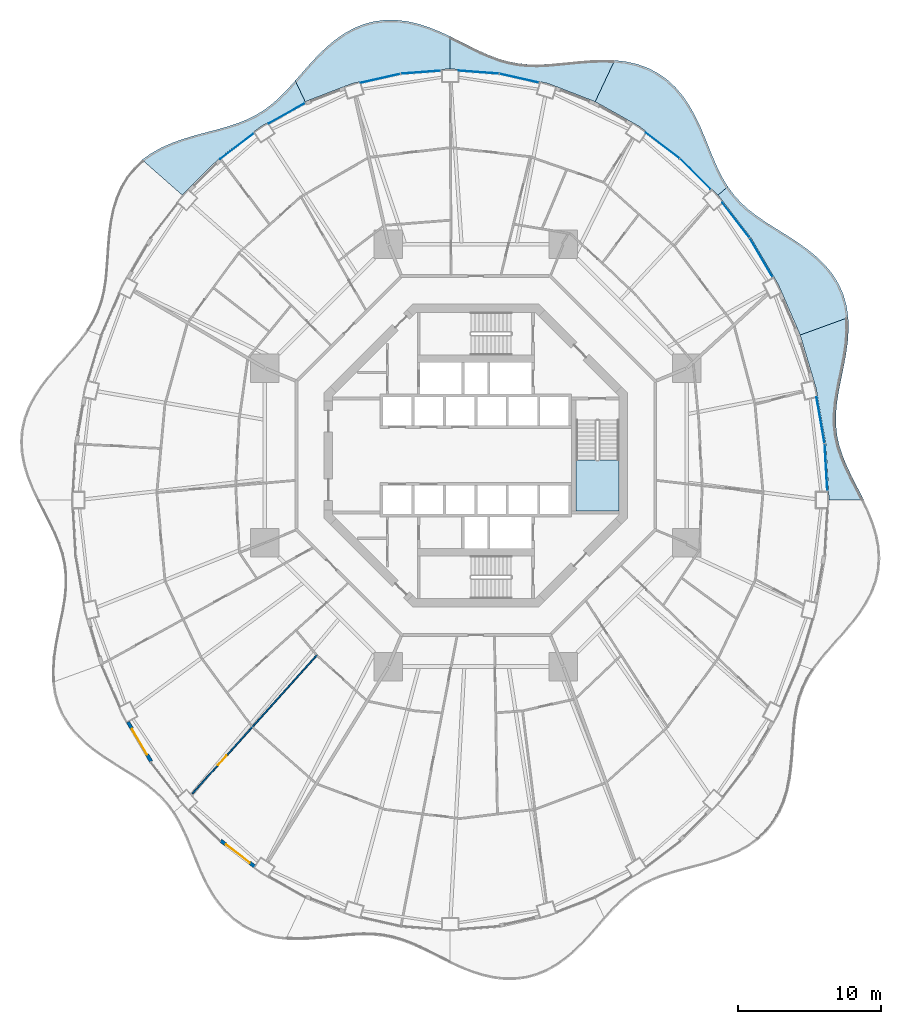
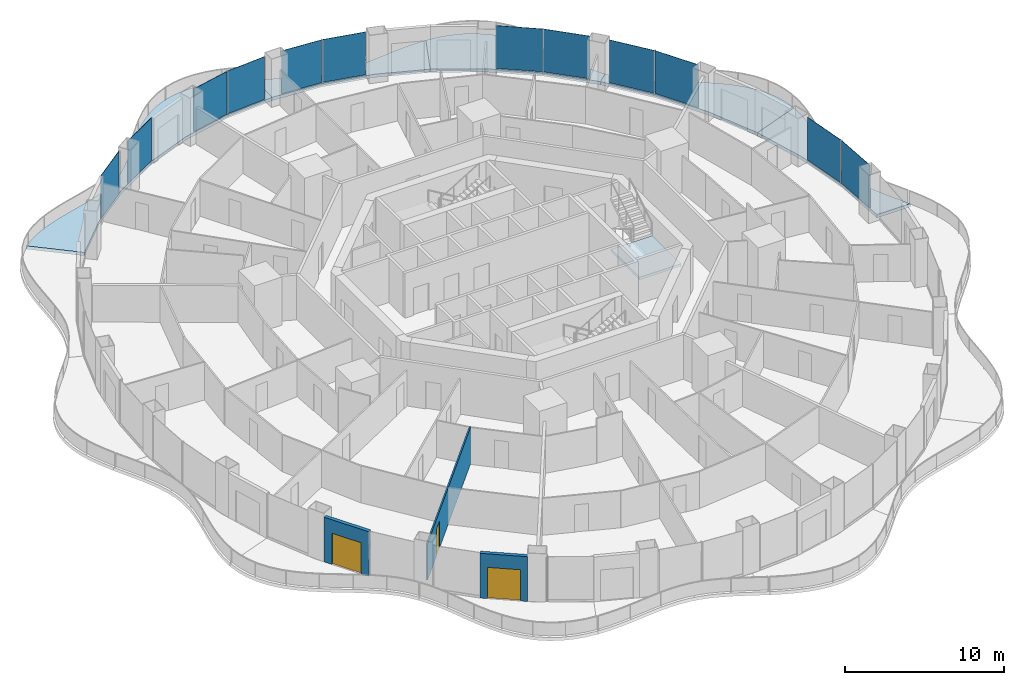
# One storey, part 11 of 20: 12 plates, 7 slabs, 3 doors, 3 walls, 3 openings, 13 elements without a shape of their own.
"""IFC4 building model written with IfcOpenShell, lengths in metres."""

import ifcopenshell
import ifcopenshell.guid

model = None  # the IFC model being written
_history = None  # IfcOwnerHistory: only IFC2X3 demands one
_inside = {}  # id of a spatial element -> (the spatial element, [elements in it])
_under = {}  # id of a project, library or spatial element -> (it, [spatial elements below it])
_declared = {}  # id of a project -> (the project, [libraries it declares])
_typed = {}  # id of a type object -> (the type object, [elements of that type])
_made_of = {}  # id of a material, layer set ... -> (it, [elements and type objects made of it])


def new_model(schema):
    """Start an empty IFC model of exactly this schema.

    Asked for "IFC4X3", IfcOpenShell would pick the latest addendum, in which some entities
    have other attributes; the version numbers below select the first issue.
    IFC2X3 requires an IfcOwnerHistory on every rooted entity: one is made here for all.
    """
    global model, _history
    if schema == "IFC4X3":
        model = ifcopenshell.file(schema_version=(4, 3, 0, 0))
    else:
        model = ifcopenshell.file(schema=schema)
    _inside.clear()
    _under.clear()
    _declared.clear()
    _typed.clear()
    _made_of.clear()
    _history = None
    if model.schema == "IFC2X3":
        org = make("IfcOrganization", Name="unknown")
        user = make(
            "IfcPersonAndOrganization",
            ThePerson=make("IfcPerson", FamilyName="unknown"),
            TheOrganization=org,
        )
        app = make(
            "IfcApplication",
            ApplicationDeveloper=org,
            Version="unknown",
            ApplicationFullName="unknown",
            ApplicationIdentifier="unknown",
        )
        _history = make(
            "IfcOwnerHistory",
            OwningUser=user,
            OwningApplication=app,
            ChangeAction="ADDED",
            CreationDate=0,
        )
    return model


def make(cls, **values):
    """One entity of the class cls with the attributes given. An attribute that is None is left unset."""
    return model.create_entity(
        cls, **{name: value for name, value in values.items() if value is not None}
    )


def rooted(cls, **values):
    """An entity with a GlobalId (a new one), such as an element, a storey or a relation."""
    return make(cls, GlobalId=ifcopenshell.guid.new(), OwnerHistory=_history, **values)


def si_unit(unit_type, name, prefix=None):
    """IfcSIUnit, for example si_unit("LENGTHUNIT", "METRE", prefix="MILLI")."""
    return make("IfcSIUnit", UnitType=unit_type, Prefix=prefix, Name=name)


def assignment(units):
    """IfcUnitAssignment: the units of a project."""
    return None if units is None else make("IfcUnitAssignment", Units=units)


def point(xyz):
    """IfcCartesianPoint."""
    return None if xyz is None else make("IfcCartesianPoint", Coordinates=xyz)


def direction(xyz):
    """IfcDirection."""
    return None if xyz is None else make("IfcDirection", DirectionRatios=xyz)


def frame(location, z_axis=None, x_axis=None):
    """IfcAxis2Placement3D, a coordinate frame: its origin and axes. An axis left out is left unset."""
    return make(
        "IfcAxis2Placement3D",
        Location=point(location),
        Axis=direction(z_axis),
        RefDirection=direction(x_axis),
    )


def frame_2d(location, x_axis=None):
    """IfcAxis2Placement2D, a coordinate frame in the plane: its origin and x axis."""
    return make(
        "IfcAxis2Placement2D", Location=point(location), RefDirection=direction(x_axis)
    )


def origin():
    """The frame at (0, 0, 0) with its axes left unset."""
    return frame((0.0, 0.0, 0.0))


def origin_2d():
    """The frame at (0, 0) in the plane with its x axis left unset."""
    return frame_2d((0.0, 0.0))


def place(relative_to, where):
    """IfcLocalPlacement: puts the frame where relative to a parent placement (None: the world)."""
    return make(
        "IfcLocalPlacement", PlacementRelTo=relative_to, RelativePlacement=where
    )


def context(
    kind, dimensions, precision=None, world=None, true_north=None, identifier=None
):
    """IfcGeometricRepresentationContext, for example the 3D "Model" context."""
    return make(
        "IfcGeometricRepresentationContext",
        ContextIdentifier=identifier,
        ContextType=kind,
        CoordinateSpaceDimension=dimensions,
        Precision=precision,
        WorldCoordinateSystem=world,
        TrueNorth=true_north,
    )


def subcontext(parent, identifier, kind, view, scale=None):
    """IfcGeometricRepresentationSubContext, for example "Body" below "Model"."""
    return make(
        "IfcGeometricRepresentationSubContext",
        ContextIdentifier=identifier,
        ContextType=kind,
        ParentContext=parent,
        TargetScale=scale,
        TargetView=view,
    )


def project(units=None, contexts=None):
    """IfcProject with its units and contexts."""
    return rooted(
        "IfcProject",
        Name="project",
        RepresentationContexts=contexts,
        UnitsInContext=assignment(units),
    )


def spatial(cls, under=None, at=None, **own):
    """A site, building, storey or space (cls), placed at a placement, below another one or the project."""
    s = rooted(cls, ObjectPlacement=at, **own)
    if under is not None:
        _under.setdefault(under.id(), (under, []))[1].append(s)
    return s


def polyline(points):
    """IfcPolyline through the points."""
    return make("IfcPolyline", Points=[point(p) for p in points])


def profile(cls, at=None, kind="AREA", **sizes):
    """A parametric profile (cls). Its sizes go by their IFC names, for example OverallWidth=200.0."""
    return make(cls, ProfileType=kind, Position=at, **sizes)


def rectangle(**sizes):
    """IfcRectangleProfileDef."""
    return profile("IfcRectangleProfileDef", **sizes)


def outline(outer, holes=None, kind="AREA"):
    """IfcArbitraryClosedProfileDef: a profile drawn as a closed curve; with holes, ...WithVoids."""
    if holes is None:
        return make("IfcArbitraryClosedProfileDef", ProfileType=kind, OuterCurve=outer)
    return make(
        "IfcArbitraryProfileDefWithVoids",
        ProfileType=kind,
        OuterCurve=outer,
        InnerCurves=holes,
    )


def extrude(swept, where, along, depth):
    """IfcExtrudedAreaSolid: the profile swept, set in the frame where, extruded along a direction by depth."""
    return make(
        "IfcExtrudedAreaSolid",
        SweptArea=swept,
        Position=where,
        ExtrudedDirection=direction(along),
        Depth=depth,
    )


def shape(context_of_items, identifier, shape_type, items):
    """IfcShapeRepresentation: the items that make up one representation, for example the "Body"."""
    return make(
        "IfcShapeRepresentation",
        ContextOfItems=context_of_items,
        RepresentationIdentifier=identifier,
        RepresentationType=shape_type,
        Items=items,
    )


def material(Name=None, Category=None):
    """IfcMaterial."""
    return make("IfcMaterial", Name=Name, Category=Category)


def layer(
    of_material, thickness, ventilated=None, Name=None, Category=None, Priority=None
):
    """IfcMaterialLayer: one layer of a wall or slab, of a material (None: an air gap)."""
    return make(
        "IfcMaterialLayer",
        Material=of_material,
        LayerThickness=thickness,
        IsVentilated=ventilated,
        Name=Name,
        Category=Category,
        Priority=Priority,
    )


def layer_set(layers, Name=None):
    """IfcMaterialLayerSet."""
    return make("IfcMaterialLayerSet", MaterialLayers=layers, LayerSetName=Name)


def made_of(thing, what):
    """Note that an element or type object is made of a material, layer set ...; save() writes the relation."""
    if what is not None:
        _made_of.setdefault(what.id(), (what, []))[1].append(thing)
    return thing


def type_object(cls, material=None, **own):
    """A type object (cls), such as IfcWallType, which elements share."""
    return made_of(rooted(cls, **own), material)


def element(
    cls,
    number,
    at=None,
    inside=None,
    cuts=None,
    type_object=None,
    material=None,
    context=None,
    identifier="Body",
    shape_type=None,
    held_by="IfcProductDefinitionShape",
    body=None,
    shapes=None,
    **own,
):
    """One element of the class cls, such as IfcWall. Its Tag is "e" and its number.

    at: its placement. inside: the storey or other place that contains it. cuts: it is an
    opening in that element (IfcRelVoidsElement). A single representation is given by context,
    identifier, shape_type and body (its items); several are given by shapes. held_by: the class
    of the entity that holds the representations. save() writes the other relations.
    """
    e = rooted(cls, Tag="e%d" % number, ObjectPlacement=at, **own)
    if body is not None:
        shapes = [shape(context, identifier, shape_type, body)]
    if shapes is not None:
        e.Representation = make(held_by, Representations=shapes)
    if inside is not None:
        _inside.setdefault(inside.id(), (inside, []))[1].append(e)
    if cuts is not None:
        rooted(
            "IfcRelVoidsElement", RelatingBuildingElement=cuts, RelatedOpeningElement=e
        )
    if type_object is not None:
        _typed.setdefault(type_object.id(), (type_object, []))[1].append(e)
    return made_of(e, material)


def fill(opening, filler):
    """IfcRelFillsElement: the door or window that sits in an opening."""
    return rooted(
        "IfcRelFillsElement",
        RelatingOpeningElement=opening,
        RelatedBuildingElement=filler,
    )


def aggregate(whole, parts):
    """IfcRelAggregates: a whole, such as a stair, and the parts it consists of."""
    return rooted("IfcRelAggregates", RelatingObject=whole, RelatedObjects=parts)


def save(model, path):
    """Write the relations noted so far, then the file.

    IfcRelAggregates (storeys below a building ...), IfcRelContainedInSpatialStructure (elements
    in a storey), IfcRelDefinesByType, IfcRelAssociatesMaterial and IfcRelDeclares: one each for
    every whole, place, type object, material and project.
    """
    for whole, parts in _under.values():
        aggregate(whole, parts)
    for where, things in _inside.values():
        rooted(
            "IfcRelContainedInSpatialStructure",
            RelatedElements=things,
            RelatingStructure=where,
        )
    for kind, things in _typed.values():
        rooted("IfcRelDefinesByType", RelatedObjects=things, RelatingType=kind)
    for what, things in _made_of.values():
        rooted("IfcRelAssociatesMaterial", RelatedObjects=things, RelatingMaterial=what)
    for by, libraries in _declared.values():
        rooted("IfcRelDeclares", RelatingContext=by, RelatedDefinitions=libraries)
    model.write(path)


model = new_model("IFC4")

# Units and contexts
model_context = context("Model", 3, precision=1e-05, world=origin(), true_north=direction((0.0, 1.0)))
body_context = subcontext(model_context, "Body", "Model", "MODEL_VIEW")
ifc_project = project(units=[si_unit("LENGTHUNIT", "METRE"), si_unit("AREAUNIT", "SQUARE_METRE"), si_unit("VOLUMEUNIT", "CUBIC_METRE"), si_unit("PLANEANGLEUNIT", "RADIAN"), si_unit("MASSUNIT", "GRAM", prefix="KILO")], contexts=[model_context])

# Site, building, storey
site_placement = place(None, origin())
site = spatial("IfcSite", under=ifc_project, at=site_placement, CompositionType="ELEMENT")
building_placement = place(site_placement, origin())
building = spatial("IfcBuilding", under=site, at=building_placement, Name="Nagisa Residences", CompositionType="ELEMENT")
storey_placement = place(building_placement, frame((0.0, 0.0, 130.699951171875)))
storey = spatial("IfcBuildingStorey", under=building, at=storey_placement, Name="L32", CompositionType="ELEMENT", Elevation=130.699951171875)

# Slabs
ifc_material_1 = material(Name="Concrete C40/50", Category="concrete")
ifc_layer_1 = layer(ifc_material_1, 0.25)
ifc_layer_set_1 = layer_set([ifc_layer_1], Name="BALCONY SLAB 250")
slab_type_1 = type_object("IfcSlabType", Name="BALCONY SLAB 250", PredefinedType="FLOOR", material=ifc_layer_set_1)
slab_1_placement = place(storey_placement, frame((0.0, 0.0, -0.25)))
element("IfcSlab", 1, at=slab_1_placement, inside=storey, type_object=slab_type_1, Name="slab:L32:bal00", PredefinedType="FLOOR", context=body_context, shape_type="SweptSolid", body=[
    extrude(outline(polyline([(27.16357421875, -3.11767578125), (26.76806640625, -2.337158203125), (26.376953125, -1.572509765625), (26.01513671875, -0.821533203125), (25.7041015625, -0.07958984375), (25.4609375, 0.6591796875), (25.296875, 1.401123046875), (25.216064453125, 2.152587890625), (25.2158203125, 2.919921875), (25.287353515625, 3.70703125), (25.414794921875, 4.5166015625), (25.578125, 5.34814453125), (25.753662109375, 6.199462890625), (25.91552734375, 7.06494140625), (26.03857421875, 7.936767578125), (26.098876953125, 8.8056640625), (26.07666015625, 9.6611328125), (22.715087890625, 8.4375), (23.830810546875, 4.697265625), (24.508056640625, 0.823486328125), (24.735107421875, -3.11767578125), (27.16357421875, -3.11767578125)])), origin(), (0.0, 0.0, 1.0), 0.25),
])
slab_2_placement = place(storey_placement, frame((0.0, 0.0, -0.25)))
element("IfcSlab", 2, at=slab_2_placement, inside=storey, type_object=slab_type_1, Name="slab:L32:bal01", PredefinedType="FLOOR", context=body_context, shape_type="SweptSolid", body=[
    extrude(outline(polyline([(26.07666015625, 9.6611328125), (25.96142578125, 10.466552734375), (25.745361328125, 11.23974609375), (25.42529296875, 11.97216796875), (25.00439453125, 12.658203125), (24.49072265625, 13.29443359375), (23.8974609375, 13.880615234375), (23.2421875, 14.419921875), (22.544677734375, 14.91845703125), (21.825927734375, 15.3857421875), (21.107421875, 15.8330078125), (20.408447265625, 16.2734375), (19.745849609375, 16.721435546875), (19.13232421875, 17.190185546875), (18.576171875, 17.69189453125), (18.080078125, 18.236572265625), (17.642333984375, 18.830322265625), (16.963134765625, 18.2333984375), (19.251708984375, 15.263916015625), (21.179931640625, 11.979736328125), (22.715087890625, 8.4375), (26.07666015625, 9.6611328125)])), origin(), (0.0, 0.0, 1.0), 0.25),
])
slab_3_placement = place(storey_placement, frame((0.0, 0.0, -0.25)))
element("IfcSlab", 3, at=slab_3_placement, inside=storey, type_object=slab_type_1, Name="slab:L32:bal02", PredefinedType="FLOOR", context=body_context, shape_type="SweptSolid", body=[
    extrude(outline(polyline([(17.642333984375, 18.830322265625), (17.272705078125, 19.444580078125), (16.93994140625, 20.104248046875), (16.63134765625, 20.804443359375), (16.333251953125, 21.5361328125), (16.030029296875, 22.287353515625), (15.706787109375, 23.043701171875), (15.35009765625, 23.78857421875), (14.947998046875, 24.5048828125), (14.491455078125, 25.17578125), (13.974853515625, 25.78564453125), (13.39599609375, 26.3212890625), (12.75634765625, 26.7724609375), (12.060546875, 27.13330078125), (11.31591796875, 27.40185546875), (10.532470703125, 27.5810546875), (9.721435546875, 27.678955078125), (8.3544921875, 24.77880859375), (11.467529296875, 23.031982421875), (14.353515625, 20.837646484375), (16.963134765625, 18.2333984375), (17.642333984375, 18.830322265625)])), origin(), (0.0, 0.0, 1.0), 0.25),
])
slab_4_placement = place(storey_placement, frame((0.0, 0.0, -0.25)))
element("IfcSlab", 4, at=slab_4_placement, inside=storey, type_object=slab_type_1, Name="slab:L32:bal03", PredefinedType="FLOOR", context=body_context, shape_type="SweptSolid", body=[
    extrude(outline(polyline([(9.721435546875, 27.678955078125), (8.924560546875, 27.706787109375), (8.123046875, 27.68359375), (7.326171875, 27.625), (6.5419921875, 27.548095703125), (5.77587890625, 27.47119140625), (5.03173828125, 27.410888671875), (4.310546875, 27.38232421875), (3.61083984375, 27.3984375), (2.9296875, 27.468505859375), (2.261962890625, 27.597412109375), (1.60205078125, 27.785888671875), (0.942626953125, 28.030029296875), (0.278076171875, 28.322021484375), (-0.39794921875, 28.64990234375), (-1.08984375, 28.997802734375), (-1.800048828125, 29.348876953125), (-1.800048828125, 27.077392578125), (1.66357421875, 26.819091796875), (5.06787109375, 26.04833984375), (8.3544921875, 24.77880859375), (9.721435546875, 27.678955078125)])), origin(), (0.0, 0.0, 1.0), 0.25),
])
slab_5_placement = place(storey_placement, frame((0.0, 0.0, -0.25)))
element("IfcSlab", 5, at=slab_5_placement, inside=storey, type_object=slab_type_1, Name="slab:L32:bal04", PredefinedType="FLOOR", context=body_context, shape_type="SweptSolid", body=[
    extrude(outline(polyline([(-1.800048828125, 29.348876953125), (-2.529541015625, 29.68359375), (-3.277099609375, 29.983154296875), (-4.039306640625, 30.2294921875), (-4.810791015625, 30.406005859375), (-5.58544921875, 30.499755859375), (-6.355224609375, 30.500732421875), (-7.11279296875, 30.40380859375), (-7.850341796875, 30.2080078125), (-8.561279296875, 29.9169921875), (-9.240966796875, 29.53857421875), (-9.885986328125, 29.08447265625), (-10.49560546875, 28.569580078125), (-11.071533203125, 28.0107421875), (-11.617919921875, 27.426025390625), (-12.140869140625, 26.833740234375), (-12.6484375, 26.2509765625), (-11.95458984375, 24.77880859375), (-8.667724609375, 26.04833984375), (-5.263427734375, 26.819091796875), (-1.800048828125, 27.077392578125), (-1.800048828125, 29.348876953125)])), origin(), (0.0, 0.0, 1.0), 0.25),
])
slab_6_placement = place(storey_placement, frame((0.0, 0.0, -0.25)))
element("IfcSlab", 6, at=slab_6_placement, inside=storey, type_object=slab_type_1, Name="slab:L32:bal05", PredefinedType="FLOOR", context=body_context, shape_type="SweptSolid", body=[
    extrude(outline(polyline([(-12.6484375, 26.2509765625), (-13.16845703125, 25.672607421875), (-13.693115234375, 25.135498046875), (-14.232666015625, 24.649169921875), (-14.79736328125, 24.219970703125), (-15.39453125, 23.8486328125), (-16.030029296875, 23.531982421875), (-16.70556640625, 23.262451171875), (-17.419921875, 23.02880859375), (-18.168212890625, 22.817626953125), (-18.94189453125, 22.61328125), (-19.72998046875, 22.399658203125), (-20.518798828125, 22.1611328125), (-21.293212890625, 21.883056640625), (-22.03759765625, 21.553466796875), (-22.73681640625, 21.163330078125), (-23.376953125, 20.706298828125), (-20.56298828125, 18.2333984375), (-17.953369140625, 20.837646484375), (-15.0673828125, 23.031982421875), (-11.95458984375, 24.77880859375), (-12.6484375, 26.2509765625)])), origin(), (0.0, 0.0, 1.0), 0.25),
])

# Curtain wall, plate
ifc_material_2 = material(Name="Concrete-coloured aluminium curtain wall system", Category="concrete")
ifc_layer_2 = layer(ifc_material_2, 0.159912109375)
ifc_layer_set_2 = layer_set([ifc_layer_2], Name="CW1 CURTAIN WALL")
curtain_wall_type = type_object("IfcCurtainWallType", Name="CW1 CURTAIN WALL", PredefinedType="NOTDEFINED", material=ifc_layer_set_2)
curtain_wall_1_placement = place(storey_placement, origin())
curtain_wall_1 = element("IfcCurtainWall", 7, at=curtain_wall_1_placement, inside=storey, type_object=curtain_wall_type, Name="cw:CW1:L32:00", PredefinedType="NOTDEFINED")
ifc_material_3 = material(Name="Clear laminated glass", Category="glass")
ifc_layer_3 = layer(ifc_material_3, 0.028076171875)
ifc_layer_set_3 = layer_set([ifc_layer_3], Name="CW1 GLASS PANEL")
plate_type = type_object("IfcPlateType", Name="CW1 GLASS PANEL", PredefinedType="CURTAIN_PANEL", material=ifc_layer_set_3)
plate_1_placement = place(storey_placement, frame((24.522705078125, -0.822265625, 0.150146484375), z_axis=(0.0, 0.0, 1.0), x_axis=(-0.057503492216, 0.998345305184, 0.0)))
plate_1 = element("IfcPlate", 8, at=plate_1_placement, type_object=plate_type, Name="CW1 panel", PredefinedType="CURTAIN_PANEL", context=body_context, shape_type="SweptSolid", body=[
    extrude(rectangle(XDim=3.287841796875, YDim=0.028076171875, at=origin_2d()), origin(), (0.0, 0.0, 1.0), 3.2900390625),
])
aggregate(curtain_wall_1, [plate_1])

curtain_wall_2_placement = place(storey_placement, origin())
curtain_wall_2 = element("IfcCurtainWall", 9, at=curtain_wall_2_placement, inside=storey, type_object=curtain_wall_type, Name="cw:CW1:L32:01", PredefinedType="NOTDEFINED")
plate_2_placement = place(storey_placement, frame((24.13720703125, 2.480712890625, 0.150146484375), z_axis=(0.0, 0.0, 1.0), x_axis=(-0.172190868898, 0.985063604377, 0.0)))
plate_2 = element("IfcPlate", 10, at=plate_2_placement, type_object=plate_type, Name="CW1 panel", PredefinedType="CURTAIN_PANEL", context=body_context, shape_type="SweptSolid", body=[
    extrude(rectangle(XDim=3.2724609375, YDim=0.028076171875, at=origin_2d()), origin(), (0.0, 0.0, 1.0), 3.2900390625),
])
aggregate(curtain_wall_2, [plate_2])

curtain_wall_3_placement = place(storey_placement, origin())
curtain_wall_3 = element("IfcCurtainWall", 11, at=curtain_wall_3_placement, inside=storey, type_object=curtain_wall_type, Name="cw:CW1:L32:04", PredefinedType="NOTDEFINED")
plate_3_placement = place(storey_placement, frame((19.979736328125, 13.865966796875, 0.150146484375), z_axis=(0.0, 0.0, 1.0), x_axis=(-0.506348567002, 0.862328898214, 0.0)))
plate_3 = element("IfcPlate", 12, at=plate_3_placement, type_object=plate_type, Name="CW1 panel", PredefinedType="CURTAIN_PANEL", context=body_context, shape_type="SweptSolid", body=[
    extrude(rectangle(XDim=3.1484375, YDim=0.028076171875, at=origin_2d()), origin(), (0.0, 0.0, 1.0), 3.2900390625),
])
aggregate(curtain_wall_3, [plate_3])

curtain_wall_4_placement = place(storey_placement, origin())
curtain_wall_4 = element("IfcCurtainWall", 13, at=curtain_wall_4_placement, inside=storey, type_object=curtain_wall_type, Name="cw:CW1:L32:05", PredefinedType="NOTDEFINED")
plate_4_placement = place(storey_placement, frame((18.208740234375, 16.48583984375, 0.150146484375), z_axis=(0.0, 0.0, 1.0), x_axis=(-0.610429828235, 0.792070340816, 0.0)))
plate_4 = element("IfcPlate", 14, at=plate_4_placement, type_object=plate_type, Name="CW1 panel", PredefinedType="CURTAIN_PANEL", context=body_context, shape_type="SweptSolid", body=[
    extrude(rectangle(XDim=3.089111328125, YDim=0.028076171875, at=origin_2d()), origin(), (0.0, 0.0, 1.0), 3.2900390625),
])
aggregate(curtain_wall_4, [plate_4])

curtain_wall_5_placement = place(storey_placement, origin())
curtain_wall_5 = element("IfcCurtainWall", 15, at=curtain_wall_5_placement, inside=storey, type_object=curtain_wall_type, Name="cw:CW1:L32:06", PredefinedType="NOTDEFINED")
plate_5_placement = place(storey_placement, frame((15.3681640625, 19.7119140625, 0.150146484375), z_axis=(0.0, 0.0, 1.0), x_axis=(-0.707835924016, 0.706376885714, 0.0)))
plate_5 = element("IfcPlate", 16, at=plate_5_placement, type_object=plate_type, Name="CW1 panel", PredefinedType="CURTAIN_PANEL", context=body_context, shape_type="SweptSolid", body=[
    extrude(rectangle(XDim=3.026611328125, YDim=0.028076171875, at=origin_2d()), origin(), (0.0, 0.0, 1.0), 3.2900390625),
])
aggregate(curtain_wall_5, [plate_5])

curtain_wall_6_placement = place(storey_placement, origin())
curtain_wall_6 = element("IfcCurtainWall", 17, at=curtain_wall_6_placement, inside=storey, type_object=curtain_wall_type, Name="cw:CW1:L32:07", PredefinedType="NOTDEFINED")
plate_6_placement = place(storey_placement, frame((13.076904296875, 21.707763671875, 0.150146484375), z_axis=(0.0, 0.0, 1.0), x_axis=(-0.79603132756, 0.605255421737, 0.0)))
plate_6 = element("IfcPlate", 18, at=plate_6_placement, type_object=plate_type, Name="CW1 panel", PredefinedType="CURTAIN_PANEL", context=body_context, shape_type="SweptSolid", body=[
    extrude(rectangle(XDim=2.965576171875, YDim=0.028076171875, at=origin_2d()), origin(), (0.0, 0.0, 1.0), 3.2900390625),
])
aggregate(curtain_wall_6, [plate_6])

curtain_wall_7_placement = place(storey_placement, origin())
curtain_wall_7 = element("IfcCurtainWall", 19, at=curtain_wall_7_placement, inside=storey, type_object=curtain_wall_type, Name="cw:CW1:L32:10", PredefinedType="NOTDEFINED")
plate_7_placement = place(storey_placement, frame((3.026123046875, 26.428466796875, 0.150146484375), z_axis=(0.0, 0.0, 1.0), x_axis=(-0.975327274089, 0.2207639201, 0.0)))
plate_7 = element("IfcPlate", 20, at=plate_7_placement, type_object=plate_type, Name="CW1 panel", PredefinedType="CURTAIN_PANEL", context=body_context, shape_type="SweptSolid", body=[
    extrude(rectangle(XDim=2.830322265625, YDim=0.028076171875, at=origin_2d()), origin(), (0.0, 0.0, 1.0), 3.2900390625),
])
aggregate(curtain_wall_7, [plate_7])

curtain_wall_8_placement = place(storey_placement, origin())
curtain_wall_8 = element("IfcCurtainWall", 21, at=curtain_wall_8_placement, inside=storey, type_object=curtain_wall_type, Name="cw:CW1:L32:11", PredefinedType="NOTDEFINED")
plate_8_placement = place(storey_placement, frame((0.195068359375, 26.848388671875, 0.150146484375), z_axis=(0.0, 0.0, 1.0), x_axis=(-0.997230168512, 0.074377355493, 0.0)))
plate_8 = element("IfcPlate", 22, at=plate_8_placement, type_object=plate_type, Name="CW1 panel", PredefinedType="CURTAIN_PANEL", context=body_context, shape_type="SweptSolid", body=[
    extrude(rectangle(XDim=2.813232421875, YDim=0.028076171875, at=origin_2d()), origin(), (0.0, 0.0, 1.0), 3.2900390625),
])
aggregate(curtain_wall_8, [plate_8])

curtain_wall_9_placement = place(storey_placement, origin())
curtain_wall_9 = element("IfcCurtainWall", 23, at=curtain_wall_9_placement, inside=storey, type_object=curtain_wall_type, Name="cw:CW1:L32:12", PredefinedType="NOTDEFINED")
plate_9_placement = place(storey_placement, frame((-3.85498046875, 26.84375, 0.150146484375), z_axis=(0.0, 0.0, 1.0), x_axis=(-0.997230168512, -0.074377355493, 0.0)))
plate_9 = element("IfcPlate", 24, at=plate_9_placement, type_object=plate_type, Name="CW1 panel", PredefinedType="CURTAIN_PANEL", context=body_context, shape_type="SweptSolid", body=[
    extrude(rectangle(XDim=2.813232421875, YDim=0.028076171875, at=origin_2d()), origin(), (0.0, 0.0, 1.0), 3.2900390625),
])
aggregate(curtain_wall_9, [plate_9])

curtain_wall_10_placement = place(storey_placement, origin())
curtain_wall_10 = element("IfcCurtainWall", 25, at=curtain_wall_10_placement, inside=storey, type_object=curtain_wall_type, Name="cw:CW1:L32:13", PredefinedType="NOTDEFINED")
plate_10_placement = place(storey_placement, frame((-6.6845703125, 26.415283203125, 0.150146484375), z_axis=(0.0, 0.0, 1.0), x_axis=(-0.975327274089, -0.2207639201, 0.0)))
plate_10 = element("IfcPlate", 26, at=plate_10_placement, type_object=plate_type, Name="CW1 panel", PredefinedType="CURTAIN_PANEL", context=body_context, shape_type="SweptSolid", body=[
    extrude(rectangle(XDim=2.830322265625, YDim=0.028076171875, at=origin_2d()), origin(), (0.0, 0.0, 1.0), 3.2900390625),
])
aggregate(curtain_wall_10, [plate_10])

curtain_wall_11_placement = place(storey_placement, origin())
curtain_wall_11 = element("IfcCurtainWall", 27, at=curtain_wall_11_placement, inside=storey, type_object=curtain_wall_type, Name="cw:CW1:L32:15", PredefinedType="NOTDEFINED")
plate_11_placement = place(storey_placement, frame((-13.236328125, 23.9677734375, 0.150146484375), z_axis=(0.0, 0.0, 1.0), x_axis=(-0.872072377523, -0.489376918501, 0.0)))
plate_11 = element("IfcPlate", 28, at=plate_11_placement, type_object=plate_type, Name="CW1 panel", PredefinedType="CURTAIN_PANEL", context=body_context, shape_type="SweptSolid", body=[
    extrude(rectangle(XDim=2.90966796875, YDim=0.028076171875, at=origin_2d()), origin(), (0.0, 0.0, 1.0), 3.2900390625),
])
aggregate(curtain_wall_11, [plate_11])

curtain_wall_12_placement = place(storey_placement, origin())
curtain_wall_12 = element("IfcCurtainWall", 29, at=curtain_wall_12_placement, inside=storey, type_object=curtain_wall_type, Name="cw:CW1:L32:16", PredefinedType="NOTDEFINED")
plate_12_placement = place(storey_placement, frame((-16.724853515625, 21.67138671875, 0.150146484375), z_axis=(0.0, 0.0, 1.0), x_axis=(-0.79603132756, -0.605255421737, 0.0)))
plate_12 = element("IfcPlate", 30, at=plate_12_placement, type_object=plate_type, Name="CW1 panel", PredefinedType="CURTAIN_PANEL", context=body_context, shape_type="SweptSolid", body=[
    extrude(rectangle(XDim=2.965576171875, YDim=0.028076171875, at=origin_2d()), origin(), (0.0, 0.0, 1.0), 3.2900390625),
])
aggregate(curtain_wall_12, [plate_12])

# Stair, slab
ifc_material_4 = material(Name="Concrete C60", Category="concrete")
stair_type = type_object("IfcStairType", Name="Exit stair", PredefinedType="HALF_TURN_STAIR", material=ifc_material_4)
stair_placement = place(storey_placement, origin())
stair = element("IfcStair", 31, at=stair_placement, inside=storey, type_object=stair_type, Name="L32 Exit stair E", PredefinedType="HALF_TURN_STAIR")
ifc_material_5 = material(Name="Concrete C60", Category="concrete")
ifc_layer_4 = layer(ifc_material_5, 0.199951171875)
ifc_layer_set_4 = layer_set([ifc_layer_4], Name="Stair landing")
slab_type_2 = type_object("IfcSlabType", Name="Stair landing", PredefinedType="LANDING", material=ifc_layer_set_4)
slab_7_placement = place(storey_placement, frame((0.0, 0.0, 1.650146484375)))
slab_7 = element("IfcSlab", 32, at=slab_7_placement, type_object=slab_type_2, Name="ST-E landing 1", PredefinedType="LANDING", context=body_context, shape_type="SweptSolid", body=[
    extrude(outline(polyline([(7.024658203125, -0.324951171875), (7.024658203125, -3.89990234375), (10.024658203125, -3.89990234375), (10.024658203125, -0.324951171875), (7.024658203125, -0.324951171875)])), origin(), (0.0, 0.0, 1.0), 0.199951171875),
])
aggregate(stair, [slab_7])

# Wall, opening, door
ifc_material_6 = material(Name="Gypsum board on steel studs", Category="steel")
ifc_layer_5 = layer(ifc_material_6, 0.10009765625)
ifc_layer_set_5 = layer_set([ifc_layer_5], Name="Apartment partition 100")
wall_type_1 = type_object("IfcWallType", Name="Apartment partition 100", PredefinedType="PARTITIONING", material=ifc_layer_set_5)
wall_1_placement = place(storey_placement, frame((-11.10888671875, -13.95068359375, 0.0), z_axis=(0.0, 0.0, 1.0), x_axis=(-0.668488676691, -0.743722319913, 0.0)))
wall_1 = element("IfcWall", 33, at=wall_1_placement, inside=storey, type_object=wall_type_1, Name="wall:L32:u67", PredefinedType="PARTITIONING", context=body_context, shape_type="SweptSolid", body=[
    extrude(rectangle(XDim=13.093994140625, YDim=0.10009765625, at=frame_2d((6.546875, 0.0))), origin(), (0.0, 0.0, 1.0), 2.828125),
])
opening_1_placement = place(wall_1_placement, frame((9.500244140625, 0.0, 0.0)))
opening_1 = element("IfcOpeningElement", 34, at=opening_1_placement, cuts=wall_1, Name="Opening L32-U17", PredefinedType="OPENING", context=body_context, shape_type="SweptSolid", body=[
    extrude(rectangle(XDim=0.89990234375, YDim=2.10009765625, at=frame_2d((0.449951171875, 1.050048828125))), frame((0.0, 0.06005859375, 0.0), z_axis=(0.0, -1.0, 0.0), x_axis=(1.0, 0.0, 0.0)), (0.0, 0.0, 1.0), 0.1201171875),
])
ifc_material_7 = material(Name="Timber door set", Category="wood")
door_type_1 = type_object("IfcDoorType", Name="Apartment door 900x2100", OperationType="NOTDEFINED", PredefinedType="DOOR", material=ifc_material_7)
door_1_placement = place(opening_1_placement, origin())
door_1 = element("IfcDoor", 35, at=door_1_placement, inside=storey, type_object=door_type_1, Name="Door to master bedroom, Apartment 32B", OperationType="SINGLE_SWING_LEFT", OverallHeight=2.10009765625, OverallWidth=0.89990234375, PredefinedType="DOOR", context=body_context, shape_type="SweptSolid", body=[
    extrude(rectangle(XDim=0.89990234375, YDim=2.10009765625, at=frame_2d((0.449951171875, 1.050048828125))), frame((0.0, 0.02490234375, 0.0), z_axis=(0.0, -1.0, 0.0), x_axis=(1.0, 0.0, 0.0)), (0.0, 0.0, 1.0), 0.050048828125),
])
fill(opening_1, door_1)

ifc_material_8 = material(Name="Precast concrete C40/50", Category="concrete")
ifc_layer_6 = layer(ifc_material_8, 0.25)
ifc_layer_set_6 = layer_set([ifc_layer_6], Name="BALCONY DOOR WALL 250")
wall_type_2 = type_object("IfcWallType", Name="BALCONY DOOR WALL 250", PredefinedType="SOLIDWALL", material=ifc_layer_set_6)
wall_2_placement = place(storey_placement, frame((-22.743896484375, -21.43603515625, 0.0), z_axis=(0.0, 0.0, 1.0), x_axis=(-0.506314982873, 0.862348617508, 0.0)))
wall_2 = element("IfcWall", 36, at=wall_2_placement, inside=storey, type_object=wall_type_2, Name="wall:L32:bay28", PredefinedType="SOLIDWALL", context=body_context, shape_type="SweptSolid", body=[
    extrude(rectangle(XDim=3.20849609375, YDim=0.25, at=frame_2d((1.604248046875, 0.0))), origin(), (0.0, 0.0, 1.0), 3.43994140625),
])
opening_2_placement = place(wall_2_placement, frame((0.55419921875, 0.0, 0.0)))
opening_2 = element("IfcOpeningElement", 37, at=opening_2_placement, cuts=wall_2, Name="Opening BD-L32-10", PredefinedType="OPENING", context=body_context, shape_type="SweptSolid", body=[
    extrude(rectangle(XDim=2.10009765625, YDim=2.39990234375, at=frame_2d((1.050048828125, 1.199951171875))), frame((0.0, 0.135009765625, 0.0), z_axis=(0.0, -1.0, 0.0), x_axis=(1.0, 0.0, 0.0)), (0.0, 0.0, 1.0), 0.27001953125),
])
ifc_material_9 = material(Name="Aluminium and clear glass", Category="aluminium")
door_type_2 = type_object("IfcDoorType", Name="BALCONY SLIDING DOOR 2100x2400", OperationType="SLIDING_TO_LEFT", PredefinedType="DOOR", material=ifc_material_9)
door_2_placement = place(opening_2_placement, origin())
door_2 = element("IfcDoor", 38, at=door_2_placement, inside=storey, type_object=door_type_2, Name="door:L32:bay28", OperationType="SLIDING_TO_LEFT", OverallHeight=2.39990234375, OverallWidth=2.10009765625, PredefinedType="DOOR", context=body_context, shape_type="SweptSolid", body=[
    extrude(rectangle(XDim=2.10009765625, YDim=2.39990234375, at=frame_2d((1.050048828125, 1.199951171875))), frame((0.0, 0.02490234375, 0.0), z_axis=(0.0, -1.0, 0.0), x_axis=(1.0, 0.0, 0.0)), (0.0, 0.0, 1.0), 0.050048828125),
])
fill(opening_2, door_2)

wall_3_placement = place(storey_placement, frame((-15.469482421875, -28.8046875, 0.0), z_axis=(0.0, 0.0, 1.0), x_axis=(-0.796022231079, 0.605267385233, 0.0)))
wall_3 = element("IfcWall", 39, at=wall_3_placement, inside=storey, type_object=wall_type_2, Name="wall:L32:bay31", PredefinedType="SOLIDWALL", context=body_context, shape_type="SweptSolid", body=[
    extrude(rectangle(XDim=3.025634765625, YDim=0.25, at=frame_2d((1.5126953125, 0.0))), origin(), (0.0, 0.0, 1.0), 3.43994140625),
])
opening_3_placement = place(wall_3_placement, frame((0.462646484375, 0.0, 0.0)))
opening_3 = element("IfcOpeningElement", 40, at=opening_3_placement, cuts=wall_3, Name="Opening BD-L32-11", PredefinedType="OPENING", context=body_context, shape_type="SweptSolid", body=[
    extrude(rectangle(XDim=2.10009765625, YDim=2.39990234375, at=frame_2d((1.050048828125, 1.199951171875))), frame((0.0, 0.135009765625, 0.0), z_axis=(0.0, -1.0, 0.0), x_axis=(1.0, 0.0, 0.0)), (0.0, 0.0, 1.0), 0.27001953125),
])
door_3_placement = place(opening_3_placement, origin())
door_3 = element("IfcDoor", 41, at=door_3_placement, inside=storey, type_object=door_type_2, Name="door:L32:bay31", OperationType="SLIDING_TO_LEFT", OverallHeight=2.39990234375, OverallWidth=2.10009765625, PredefinedType="DOOR", context=body_context, shape_type="SweptSolid", body=[
    extrude(rectangle(XDim=2.10009765625, YDim=2.39990234375, at=frame_2d((1.050048828125, 1.199951171875))), frame((0.0, 0.02490234375, 0.0), z_axis=(0.0, -1.0, 0.0), x_axis=(1.0, 0.0, 0.0)), (0.0, 0.0, 1.0), 0.050048828125),
])
fill(opening_3, door_3)

save(model, "model.ifc")
